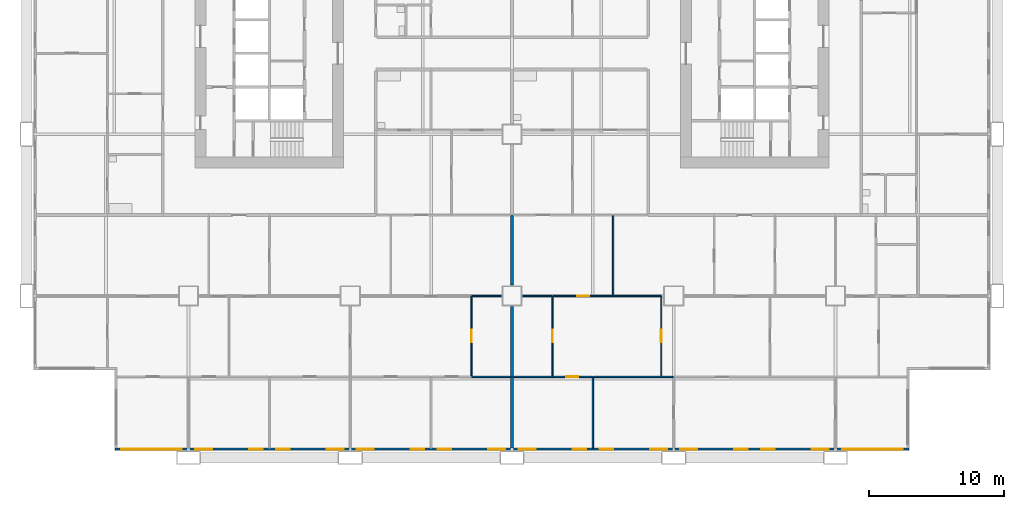
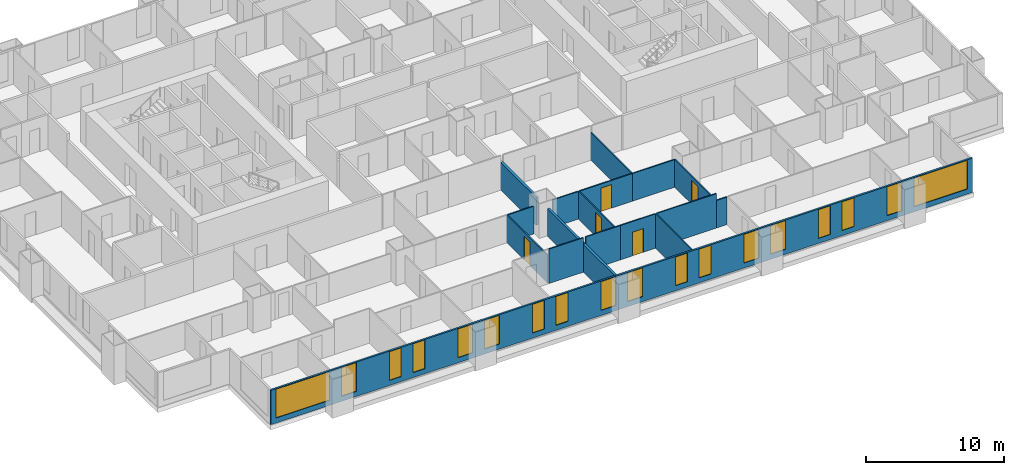
# One storey, part 5 of 14: 18 walls, 18 windows, 5 doors, 23 openings.
"""IFC4 building model written with IfcOpenShell, lengths in metres."""

from ifc_helpers import new_model, si_unit, direction, frame, frame_2d, origin, place, context, subcontext, project, spatial, rectangle, extrude, material, layer, layer_set, type_object, element, fill, save


model = new_model("IFC4")

# Units and contexts
model_context = context("Model", 3, precision=1e-05, world=origin(), true_north=direction((0.0, 1.0)))
body_context = subcontext(model_context, "Body", "Model", "MODEL_VIEW")
ifc_project = project(units=[si_unit("LENGTHUNIT", "METRE"), si_unit("AREAUNIT", "SQUARE_METRE"), si_unit("VOLUMEUNIT", "CUBIC_METRE"), si_unit("PLANEANGLEUNIT", "RADIAN"), si_unit("MASSUNIT", "GRAM", prefix="KILO")], contexts=[model_context])

# Site, building, storey
site_placement = place(None, origin())
site = spatial("IfcSite", under=ifc_project, at=site_placement, CompositionType="ELEMENT")
building_placement = place(site_placement, origin())
building = spatial("IfcBuilding", under=site, at=building_placement, Name="Kitamizu Gate Tower and Museum", CompositionType="ELEMENT")
storey_placement = place(building_placement, frame((0.0, 0.0, 33.449951171875)))
storey = spatial("IfcBuildingStorey", under=building, at=storey_placement, Name="L06", CompositionType="ELEMENT", Elevation=33.449951171875)

# Wall
ifc_material_1 = material(Name="Gypsum board on galvanised stud")
ifc_layer_1 = layer(ifc_material_1, 0.10009765625)
ifc_layer_set_1 = layer_set([ifc_layer_1], Name="Gypsum board on galvanised stud")
wall_type_1 = type_object("IfcWallType", Name="Partition 100 NOT RATED", PredefinedType="PARTITIONING", material=ifc_layer_set_1)
wall_1_placement = place(storey_placement, frame((35.89990234375, 6.0, 0.0), z_axis=(0.0, 0.0, 1.0), x_axis=(-1.0, 0.0, 0.0)))
element("IfcWall", 1, at=wall_1_placement, inside=storey, type_object=wall_type_1, Name="Partition L06-011", PredefinedType="PARTITIONING", context=body_context, shape_type="SweptSolid", body=[
    extrude(rectangle(XDim=2.89990234375, YDim=0.10009765625, at=frame_2d((1.449951171875, 0.0))), origin(), (0.0, 0.0, 1.0), 3.050048828125),
])

# Wall, opening, door
wall_2_placement = place(storey_placement, frame((33.0, 6.050048828125, 0.0), z_axis=(0.0, 0.0, 1.0), x_axis=(0.0, 1.0, 0.0)))
wall_2 = element("IfcWall", 2, at=wall_2_placement, inside=storey, type_object=wall_type_1, Name="Partition L06-022", PredefinedType="PARTITIONING", context=body_context, shape_type="SweptSolid", body=[
    extrude(rectangle(XDim=5.949951171875, YDim=0.10009765625, at=frame_2d((2.97509765625, 0.0))), origin(), (0.0, 0.0, 1.0), 2.449951171875),
])
opening_1_placement = place(wall_2_placement, frame((2.52490234375, 0.0, 0.0)))
opening_1 = element("IfcOpeningElement", 3, at=opening_1_placement, cuts=wall_2, Name="Opening L06-011", PredefinedType="OPENING", context=body_context, shape_type="SweptSolid", body=[
    extrude(rectangle(XDim=0.89990234375, YDim=2.10009765625, at=frame_2d((0.449951171875, 1.050048828125))), frame((0.0, 0.06005859375, 0.0), z_axis=(0.0, -1.0, 0.0), x_axis=(1.0, 0.0, 0.0)), (0.0, 0.0, 1.0), 0.1201171875),
])
ifc_material_2 = material(Name="Timber door set", Category="wood")
door_type = type_object("IfcDoorType", Name="Room door 900", OperationType="NOTDEFINED", PredefinedType="DOOR", material=ifc_material_2)
door_1_placement = place(opening_1_placement, frame((0.89990234375, 0.0, 0.0), x_axis=(-1.0, 0.0, 0.0)))
door_1 = element("IfcDoor", 4, at=door_1_placement, inside=storey, type_object=door_type, Name="Door L06-011", OperationType="SINGLE_SWING_LEFT", OverallHeight=2.10009765625, OverallWidth=0.89990234375, PredefinedType="DOOR", context=body_context, shape_type="SweptSolid", body=[
    extrude(rectangle(XDim=0.89990234375, YDim=2.10009765625, at=frame_2d((0.449951171875, 1.050048828125))), frame((0.0, 0.02490234375, 0.0), z_axis=(0.0, -1.0, 0.0), x_axis=(1.0, 0.0, 0.0)), (0.0, 0.0, 1.0), 0.050048828125),
])
fill(opening_1, door_1)

# Walls
wall_3_placement = place(storey_placement, frame((35.199951171875, 12.0, 0.0), z_axis=(0.0, 0.0, 1.0), x_axis=(-1.0, 0.0, 0.0)))
element("IfcWall", 5, at=wall_3_placement, inside=storey, type_object=wall_type_1, Name="Partition L06-025", PredefinedType="PARTITIONING", context=body_context, shape_type="SweptSolid", body=[
    extrude(rectangle(XDim=2.14990234375, YDim=0.10009765625, at=frame_2d((1.074951171875, 0.0))), origin(), (0.0, 0.0, 1.0), 2.449951171875),
])
wall_4_placement = place(storey_placement, frame((42.0, 0.719970703125, 0.0), z_axis=(0.0, 0.0, 1.0), x_axis=(0.0, 1.0, 0.0)))
element("IfcWall", 6, at=wall_4_placement, inside=storey, type_object=wall_type_1, Name="Partition L06-073", PredefinedType="PARTITIONING", context=body_context, shape_type="SweptSolid", body=[
    extrude(rectangle(XDim=5.280029296875, YDim=0.10009765625, at=frame_2d((2.64013671875, 0.0))), origin(), (0.0, 0.0, 1.0), 3.050048828125),
])
wall_5_placement = place(storey_placement, frame((39.0, 6.0, 0.0), z_axis=(0.0, 0.0, 1.0), x_axis=(-1.0, 0.0, 0.0)))
element("IfcWall", 7, at=wall_5_placement, inside=storey, type_object=wall_type_1, Name="Partition L06-074", PredefinedType="PARTITIONING", context=body_context, shape_type="SweptSolid", body=[
    extrude(rectangle(XDim=2.89990234375, YDim=0.10009765625, at=frame_2d((1.449951171875, 0.0))), origin(), (0.0, 0.0, 1.0), 3.050048828125),
])

# Wall, opening, door
wall_6_placement = place(storey_placement, frame((41.949951171875, 6.0, 0.0), z_axis=(0.0, 0.0, 1.0), x_axis=(-1.0, 0.0, 0.0)))
wall_6 = element("IfcWall", 8, at=wall_6_placement, inside=storey, type_object=wall_type_1, Name="Partition L06-075", PredefinedType="PARTITIONING", context=body_context, shape_type="SweptSolid", body=[
    extrude(rectangle(XDim=2.949951171875, YDim=0.10009765625, at=frame_2d((1.47509765625, 0.0))), origin(), (0.0, 0.0, 1.0), 3.050048828125),
])
opening_2_placement = place(wall_6_placement, frame((1.02490234375, 0.0, 0.0)))
opening_2 = element("IfcOpeningElement", 9, at=opening_2_placement, cuts=wall_6, Name="Opening L06-033", PredefinedType="OPENING", context=body_context, shape_type="SweptSolid", body=[
    extrude(rectangle(XDim=0.89990234375, YDim=2.10009765625, at=frame_2d((0.449951171875, 1.050048828125))), frame((0.0, 0.06005859375, 0.0), z_axis=(0.0, -1.0, 0.0), x_axis=(1.0, 0.0, 0.0)), (0.0, 0.0, 1.0), 0.1201171875),
])
door_2_placement = place(opening_2_placement, origin())
door_2 = element("IfcDoor", 10, at=door_2_placement, inside=storey, type_object=door_type, Name="Door L06-033", OperationType="SINGLE_SWING_RIGHT", OverallHeight=2.10009765625, OverallWidth=0.89990234375, PredefinedType="DOOR", context=body_context, shape_type="SweptSolid", body=[
    extrude(rectangle(XDim=0.89990234375, YDim=2.10009765625, at=frame_2d((0.449951171875, 1.050048828125))), frame((0.0, 0.02490234375, 0.0), z_axis=(0.0, -1.0, 0.0), x_axis=(1.0, 0.0, 0.0)), (0.0, 0.0, 1.0), 0.050048828125),
])
fill(opening_2, door_2)

# Walls
wall_7_placement = place(storey_placement, frame((47.070068359375, 6.0, 0.0), z_axis=(0.0, 0.0, 1.0), x_axis=(-1.0, 0.0, 0.0)))
element("IfcWall", 11, at=wall_7_placement, inside=storey, type_object=wall_type_1, Name="Partition L06-077", PredefinedType="PARTITIONING", context=body_context, shape_type="SweptSolid", body=[
    extrude(rectangle(XDim=5.02001953125, YDim=0.10009765625, at=frame_2d((2.510009765625, 0.0))), origin(), (0.0, 0.0, 1.0), 3.050048828125),
])
wall_8_placement = place(storey_placement, frame((47.949951171875, 6.0, 0.0), z_axis=(0.0, 0.0, 1.0), x_axis=(-1.0, 0.0, 0.0)))
element("IfcWall", 12, at=wall_8_placement, inside=storey, type_object=wall_type_1, Name="Partition L06-078", PredefinedType="PARTITIONING", context=body_context, shape_type="SweptSolid", body=[
    extrude(rectangle(XDim=0.8798828125, YDim=0.10009765625, at=frame_2d((0.43994140625, 0.0))), origin(), (0.0, 0.0, 1.0), 2.449951171875),
])

# Wall, opening, door
wall_9_placement = place(storey_placement, frame((39.0, 6.050048828125, 0.0), z_axis=(0.0, 0.0, 1.0), x_axis=(0.0, 1.0, 0.0)))
wall_9 = element("IfcWall", 13, at=wall_9_placement, inside=storey, type_object=wall_type_1, Name="Partition L06-084", PredefinedType="PARTITIONING", context=body_context, shape_type="SweptSolid", body=[
    extrude(rectangle(XDim=5.949951171875, YDim=0.10009765625, at=frame_2d((2.97509765625, 0.0))), origin(), (0.0, 0.0, 1.0), 2.449951171875),
])
opening_3_placement = place(wall_9_placement, frame((2.52490234375, 0.0, 0.0)))
opening_3 = element("IfcOpeningElement", 14, at=opening_3_placement, cuts=wall_9, Name="Opening L06-036", PredefinedType="OPENING", context=body_context, shape_type="SweptSolid", body=[
    extrude(rectangle(XDim=0.89990234375, YDim=2.10009765625, at=frame_2d((0.449951171875, 1.050048828125))), frame((0.0, 0.06005859375, 0.0), z_axis=(0.0, -1.0, 0.0), x_axis=(1.0, 0.0, 0.0)), (0.0, 0.0, 1.0), 0.1201171875),
])
door_3_placement = place(opening_3_placement, origin())
door_3 = element("IfcDoor", 15, at=door_3_placement, inside=storey, type_object=door_type, Name="Door L06-036", OperationType="SINGLE_SWING_RIGHT", OverallHeight=2.10009765625, OverallWidth=0.89990234375, PredefinedType="DOOR", context=body_context, shape_type="SweptSolid", body=[
    extrude(rectangle(XDim=0.89990234375, YDim=2.10009765625, at=frame_2d((0.449951171875, 1.050048828125))), frame((0.0, 0.02490234375, 0.0), z_axis=(0.0, -1.0, 0.0), x_axis=(1.0, 0.0, 0.0)), (0.0, 0.0, 1.0), 0.050048828125),
])
fill(opening_3, door_3)

# Wall
wall_10_placement = place(storey_placement, frame((38.949951171875, 12.0, 0.0), z_axis=(0.0, 0.0, 1.0), x_axis=(-1.0, 0.0, 0.0)))
element("IfcWall", 16, at=wall_10_placement, inside=storey, type_object=wall_type_1, Name="Partition L06-085", PredefinedType="PARTITIONING", context=body_context, shape_type="SweptSolid", body=[
    extrude(rectangle(XDim=2.14990234375, YDim=0.10009765625, at=frame_2d((1.074951171875, 0.0))), origin(), (0.0, 0.0, 1.0), 2.449951171875),
])

# Wall, opening, door
wall_11_placement = place(storey_placement, frame((47.070068359375, 6.050048828125, 0.0), z_axis=(0.0, 0.0, 1.0), x_axis=(0.0, 1.0, 0.0)))
wall_11 = element("IfcWall", 17, at=wall_11_placement, inside=storey, type_object=wall_type_1, Name="Partition L06-086", PredefinedType="PARTITIONING", context=body_context, shape_type="SweptSolid", body=[
    extrude(rectangle(XDim=5.949951171875, YDim=0.10009765625, at=frame_2d((2.97509765625, 0.0))), origin(), (0.0, 0.0, 1.0), 2.449951171875),
])
opening_4_placement = place(wall_11_placement, frame((2.52490234375, 0.0, 0.0)))
opening_4 = element("IfcOpeningElement", 18, at=opening_4_placement, cuts=wall_11, Name="Opening L06-030", PredefinedType="OPENING", context=body_context, shape_type="SweptSolid", body=[
    extrude(rectangle(XDim=0.89990234375, YDim=2.10009765625, at=frame_2d((0.449951171875, 1.050048828125))), frame((0.0, 0.06005859375, 0.0), z_axis=(0.0, -1.0, 0.0), x_axis=(1.0, 0.0, 0.0)), (0.0, 0.0, 1.0), 0.1201171875),
])
door_4_placement = place(opening_4_placement, frame((0.89990234375, 0.0, 0.0), x_axis=(-1.0, 0.0, 0.0)))
door_4 = element("IfcDoor", 19, at=door_4_placement, inside=storey, type_object=door_type, Name="Door L06-030", OperationType="SINGLE_SWING_RIGHT", OverallHeight=2.10009765625, OverallWidth=0.89990234375, PredefinedType="DOOR", context=body_context, shape_type="SweptSolid", body=[
    extrude(rectangle(XDim=0.89990234375, YDim=2.10009765625, at=frame_2d((0.449951171875, 1.050048828125))), frame((0.0, 0.02490234375, 0.0), z_axis=(0.0, -1.0, 0.0), x_axis=(1.0, 0.0, 0.0)), (0.0, 0.0, 1.0), 0.050048828125),
])
fill(opening_4, door_4)

wall_12_placement = place(storey_placement, frame((43.5, 12.0, 0.0), z_axis=(0.0, 0.0, 1.0), x_axis=(-1.0, 0.0, 0.0)))
wall_12 = element("IfcWall", 20, at=wall_12_placement, inside=storey, type_object=wall_type_1, Name="Partition L06-087", PredefinedType="PARTITIONING", context=body_context, shape_type="SweptSolid", body=[
    extrude(rectangle(XDim=4.449951171875, YDim=0.10009765625, at=frame_2d((2.22509765625, 0.0))), origin(), (0.0, 0.0, 1.0), 2.449951171875),
])
opening_5_placement = place(wall_12_placement, frame((1.77490234375, 0.0, 0.0)))
opening_5 = element("IfcOpeningElement", 21, at=opening_5_placement, cuts=wall_12, Name="Opening L06-037", PredefinedType="OPENING", context=body_context, shape_type="SweptSolid", body=[
    extrude(rectangle(XDim=0.89990234375, YDim=2.10009765625, at=frame_2d((0.449951171875, 1.050048828125))), frame((0.0, 0.06005859375, 0.0), z_axis=(0.0, -1.0, 0.0), x_axis=(1.0, 0.0, 0.0)), (0.0, 0.0, 1.0), 0.1201171875),
])
door_5_placement = place(opening_5_placement, frame((0.89990234375, 0.0, 0.0), x_axis=(-1.0, 0.0, 0.0)))
door_5 = element("IfcDoor", 22, at=door_5_placement, inside=storey, type_object=door_type, Name="Door L06-037", OperationType="SINGLE_SWING_RIGHT", OverallHeight=2.10009765625, OverallWidth=0.89990234375, PredefinedType="DOOR", context=body_context, shape_type="SweptSolid", body=[
    extrude(rectangle(XDim=0.89990234375, YDim=2.10009765625, at=frame_2d((0.449951171875, 1.050048828125))), frame((0.0, 0.02490234375, 0.0), z_axis=(0.0, -1.0, 0.0), x_axis=(1.0, 0.0, 0.0)), (0.0, 0.0, 1.0), 0.050048828125),
])
fill(opening_5, door_5)

# Walls
wall_13_placement = place(storey_placement, frame((47.02001953125, 12.0, 0.0), z_axis=(0.0, 0.0, 1.0), x_axis=(-1.0, 0.0, 0.0)))
element("IfcWall", 23, at=wall_13_placement, inside=storey, type_object=wall_type_1, Name="Partition L06-088", PredefinedType="PARTITIONING", context=body_context, shape_type="SweptSolid", body=[
    extrude(rectangle(XDim=3.52001953125, YDim=0.10009765625, at=frame_2d((1.760009765625, 0.0))), origin(), (0.0, 0.0, 1.0), 2.449951171875),
])
wall_14_placement = place(storey_placement, frame((43.5, 12.050048828125, 0.0), z_axis=(0.0, 0.0, 1.0), x_axis=(0.0, 1.0, 0.0)))
element("IfcWall", 24, at=wall_14_placement, inside=storey, type_object=wall_type_1, Name="Partition L06-098", PredefinedType="PARTITIONING", context=body_context, shape_type="SweptSolid", body=[
    extrude(rectangle(XDim=5.949951171875, YDim=0.10009765625, at=frame_2d((2.97509765625, 0.0))), origin(), (0.0, 0.0, 1.0), 2.449951171875),
])
ifc_material_3 = material(Name="Gypsum board on galvanised stud")
ifc_layer_2 = layer(ifc_material_3, 0.199951171875)
ifc_layer_set_2 = layer_set([ifc_layer_2], Name="Gypsum board on galvanised stud")
wall_type_2 = type_object("IfcWallType", Name="Partition 200", PredefinedType="PARTITIONING", material=ifc_layer_set_2)
wall_15_placement = place(storey_placement, frame((36.0, 0.719970703125, 0.0), z_axis=(0.0, 0.0, 1.0), x_axis=(0.0, 1.0, 0.0)))
element("IfcWall", 25, at=wall_15_placement, inside=storey, type_object=wall_type_2, Name="Partition L06-012", PredefinedType="PARTITIONING", context=body_context, shape_type="SweptSolid", body=[
    extrude(rectangle(XDim=5.280029296875, YDim=0.199951171875, at=frame_2d((2.64013671875, 0.0))), origin(), (0.0, 0.0, 1.0), 2.449951171875),
])
for number, where, z_axis, x_axis, name in (
    (26, (36.0, 6.0, 0.0), (0.0, 0.0, 1.0), (0.0, 1.0, 0.0), "Partition L06-026"),
    (27, (36.0, 12.800048828125, 0.0), (0.0, 0.0, 1.0), (0.0, 1.0, 0.0), "Partition L06-038"),
):
    element("IfcWall", number, at=place(storey_placement, frame(where, z_axis=z_axis, x_axis=x_axis)), inside=storey, type_object=wall_type_2, Name=name, PredefinedType="PARTITIONING", context=body_context, shape_type="SweptSolid", body=[
        extrude(rectangle(XDim=5.199951171875, YDim=0.199951171875, at=frame_2d((2.60009765625, 0.0))), origin(), (0.0, 0.0, 1.0), 2.449951171875),
    ])

# Wall, openings, windows
ifc_material_4 = material(Name="Bronze anodised aluminium frame with insulated spandrel and tinted glass", Category="aluminium")
ifc_layer_3 = layer(ifc_material_4, 0.14990234375)
ifc_layer_set_3 = layer_set([ifc_layer_3], Name="Bronze anodised aluminium frame with insulated spandrel and tinted glass")
wall_type_3 = type_object("IfcWallType", Name="WINDOW WALL 150 BRONZE FRAME EI 30", PredefinedType="ELEMENTEDWALL", material=ifc_layer_set_3)
wall_16_placement = place(storey_placement, frame((6.56005859375, 0.635009765625, 0.0), z_axis=(0.0, 0.0, 1.0), x_axis=(1.0, 0.0, 0.0)))
wall_16 = element("IfcWall", 28, at=wall_16_placement, inside=storey, type_object=wall_type_3, Name="Window wall south L06", PredefinedType="ELEMENTEDWALL", context=body_context, shape_type="SweptSolid", body=[
    extrude(rectangle(XDim=58.8798828125, YDim=0.14990234375, at=frame_2d((29.43994140625, 0.0))), origin(), (0.0, 0.0, 1.0), 3.050048828125),
])
opening_6_placement = place(wall_16_placement, frame((0.43994140625, 0.0, 0.449951171875)))
opening_6 = element("IfcOpeningElement", 29, at=opening_6_placement, cuts=wall_16, Name="Opening W15", PredefinedType="OPENING", context=body_context, shape_type="SweptSolid", body=[
    extrude(rectangle(XDim=4.5, YDim=2.550048828125, at=frame_2d((2.25, 1.27490234375))), frame((0.0, 0.0849609375, 0.0), z_axis=(0.0, -1.0, 0.0), x_axis=(1.0, 0.0, 0.0)), (0.0, 0.0, 1.0), 0.169921875),
])
opening_7_placement = place(wall_16_placement, frame((5.93994140625, 0.0, 0.449951171875)))
opening_7 = element("IfcOpeningElement", 30, at=opening_7_placement, cuts=wall_16, Name="Opening W27", PredefinedType="OPENING", context=body_context, shape_type="SweptSolid", body=[
    extrude(rectangle(XDim=1.25, YDim=2.550048828125, at=frame_2d((0.625, 1.27490234375))), frame((0.0, 0.0849609375, 0.0), z_axis=(0.0, -1.0, 0.0), x_axis=(1.0, 0.0, 0.0)), (0.0, 0.0, 1.0), 0.169921875),
])
opening_8_placement = place(wall_16_placement, frame((9.93994140625, 0.0, 0.449951171875)))
opening_8 = element("IfcOpeningElement", 31, at=opening_8_placement, cuts=wall_16, Name="Opening W26", PredefinedType="OPENING", context=body_context, shape_type="SweptSolid", body=[
    extrude(rectangle(XDim=1.0, YDim=2.550048828125, at=frame_2d((0.5, 1.27490234375))), frame((0.0, 0.0849609375, 0.0), z_axis=(0.0, -1.0, 0.0), x_axis=(1.0, 0.0, 0.0)), (0.0, 0.0, 1.0), 0.169921875),
])
opening_9_placement = place(wall_16_placement, frame((11.93994140625, 0.0, 0.449951171875)))
opening_9 = element("IfcOpeningElement", 32, at=opening_9_placement, cuts=wall_16, Name="Opening W26", PredefinedType="OPENING", context=body_context, shape_type="SweptSolid", body=[
    extrude(rectangle(XDim=1.0, YDim=2.550048828125, at=frame_2d((0.5, 1.27490234375))), frame((0.0, 0.0849609375, 0.0), z_axis=(0.0, -1.0, 0.0), x_axis=(1.0, 0.0, 0.0)), (0.0, 0.0, 1.0), 0.169921875),
])
opening_10_placement = place(wall_16_placement, frame((15.68994140625, 0.0, 0.449951171875)))
opening_10 = element("IfcOpeningElement", 33, at=opening_10_placement, cuts=wall_16, Name="Opening W27", PredefinedType="OPENING", context=body_context, shape_type="SweptSolid", body=[
    extrude(rectangle(XDim=1.25, YDim=2.550048828125, at=frame_2d((0.625, 1.27490234375))), frame((0.0, 0.0849609375, 0.0), z_axis=(0.0, -1.0, 0.0), x_axis=(1.0, 0.0, 0.0)), (0.0, 0.0, 1.0), 0.169921875),
])
opening_11_placement = place(wall_16_placement, frame((17.93994140625, 0.0, 0.449951171875)))
opening_11 = element("IfcOpeningElement", 34, at=opening_11_placement, cuts=wall_16, Name="Opening W27", PredefinedType="OPENING", context=body_context, shape_type="SweptSolid", body=[
    extrude(rectangle(XDim=1.25, YDim=2.550048828125, at=frame_2d((0.625, 1.27490234375))), frame((0.0, 0.0849609375, 0.0), z_axis=(0.0, -1.0, 0.0), x_axis=(1.0, 0.0, 0.0)), (0.0, 0.0, 1.0), 0.169921875),
])
opening_12_placement = place(wall_16_placement, frame((21.93994140625, 0.0, 0.449951171875)))
opening_12 = element("IfcOpeningElement", 35, at=opening_12_placement, cuts=wall_16, Name="Opening W26", PredefinedType="OPENING", context=body_context, shape_type="SweptSolid", body=[
    extrude(rectangle(XDim=1.0, YDim=2.550048828125, at=frame_2d((0.5, 1.27490234375))), frame((0.0, 0.0849609375, 0.0), z_axis=(0.0, -1.0, 0.0), x_axis=(1.0, 0.0, 0.0)), (0.0, 0.0, 1.0), 0.169921875),
])
opening_13_placement = place(wall_16_placement, frame((23.93994140625, 0.0, 0.449951171875)))
opening_13 = element("IfcOpeningElement", 36, at=opening_13_placement, cuts=wall_16, Name="Opening W26", PredefinedType="OPENING", context=body_context, shape_type="SweptSolid", body=[
    extrude(rectangle(XDim=1.0, YDim=2.550048828125, at=frame_2d((0.5, 1.27490234375))), frame((0.0, 0.0849609375, 0.0), z_axis=(0.0, -1.0, 0.0), x_axis=(1.0, 0.0, 0.0)), (0.0, 0.0, 1.0), 0.169921875),
])
opening_14_placement = place(wall_16_placement, frame((27.68994140625, 0.0, 0.449951171875)))
opening_14 = element("IfcOpeningElement", 37, at=opening_14_placement, cuts=wall_16, Name="Opening W27", PredefinedType="OPENING", context=body_context, shape_type="SweptSolid", body=[
    extrude(rectangle(XDim=1.25, YDim=2.550048828125, at=frame_2d((0.625, 1.27490234375))), frame((0.0, 0.0849609375, 0.0), z_axis=(0.0, -1.0, 0.0), x_axis=(1.0, 0.0, 0.0)), (0.0, 0.0, 1.0), 0.169921875),
])
opening_15_placement = place(wall_16_placement, frame((29.93994140625, 0.0, 0.449951171875)))
opening_15 = element("IfcOpeningElement", 38, at=opening_15_placement, cuts=wall_16, Name="Opening W27", PredefinedType="OPENING", context=body_context, shape_type="SweptSolid", body=[
    extrude(rectangle(XDim=1.25, YDim=2.550048828125, at=frame_2d((0.625, 1.27490234375))), frame((0.0, 0.0849609375, 0.0), z_axis=(0.0, -1.0, 0.0), x_axis=(1.0, 0.0, 0.0)), (0.0, 0.0, 1.0), 0.169921875),
])
opening_16_placement = place(wall_16_placement, frame((33.93994140625, 0.0, 0.449951171875)))
opening_16 = element("IfcOpeningElement", 39, at=opening_16_placement, cuts=wall_16, Name="Opening W26", PredefinedType="OPENING", context=body_context, shape_type="SweptSolid", body=[
    extrude(rectangle(XDim=1.0, YDim=2.550048828125, at=frame_2d((0.5, 1.27490234375))), frame((0.0, 0.0849609375, 0.0), z_axis=(0.0, -1.0, 0.0), x_axis=(1.0, 0.0, 0.0)), (0.0, 0.0, 1.0), 0.169921875),
])
opening_17_placement = place(wall_16_placement, frame((35.93994140625, 0.0, 0.449951171875)))
opening_17 = element("IfcOpeningElement", 40, at=opening_17_placement, cuts=wall_16, Name="Opening W26", PredefinedType="OPENING", context=body_context, shape_type="SweptSolid", body=[
    extrude(rectangle(XDim=1.0, YDim=2.550048828125, at=frame_2d((0.5, 1.27490234375))), frame((0.0, 0.0849609375, 0.0), z_axis=(0.0, -1.0, 0.0), x_axis=(1.0, 0.0, 0.0)), (0.0, 0.0, 1.0), 0.169921875),
])
opening_18_placement = place(wall_16_placement, frame((39.68994140625, 0.0, 0.449951171875)))
opening_18 = element("IfcOpeningElement", 41, at=opening_18_placement, cuts=wall_16, Name="Opening W27", PredefinedType="OPENING", context=body_context, shape_type="SweptSolid", body=[
    extrude(rectangle(XDim=1.25, YDim=2.550048828125, at=frame_2d((0.625, 1.27490234375))), frame((0.0, 0.0849609375, 0.0), z_axis=(0.0, -1.0, 0.0), x_axis=(1.0, 0.0, 0.0)), (0.0, 0.0, 1.0), 0.169921875),
])
opening_19_placement = place(wall_16_placement, frame((41.93994140625, 0.0, 0.449951171875)))
opening_19 = element("IfcOpeningElement", 42, at=opening_19_placement, cuts=wall_16, Name="Opening W27", PredefinedType="OPENING", context=body_context, shape_type="SweptSolid", body=[
    extrude(rectangle(XDim=1.25, YDim=2.550048828125, at=frame_2d((0.625, 1.27490234375))), frame((0.0, 0.0849609375, 0.0), z_axis=(0.0, -1.0, 0.0), x_axis=(1.0, 0.0, 0.0)), (0.0, 0.0, 1.0), 0.169921875),
])
opening_20_placement = place(wall_16_placement, frame((45.93994140625, 0.0, 0.449951171875)))
opening_20 = element("IfcOpeningElement", 43, at=opening_20_placement, cuts=wall_16, Name="Opening W26", PredefinedType="OPENING", context=body_context, shape_type="SweptSolid", body=[
    extrude(rectangle(XDim=1.0, YDim=2.550048828125, at=frame_2d((0.5, 1.27490234375))), frame((0.0, 0.0849609375, 0.0), z_axis=(0.0, -1.0, 0.0), x_axis=(1.0, 0.0, 0.0)), (0.0, 0.0, 1.0), 0.169921875),
])
opening_21_placement = place(wall_16_placement, frame((47.93994140625, 0.0, 0.449951171875)))
opening_21 = element("IfcOpeningElement", 44, at=opening_21_placement, cuts=wall_16, Name="Opening W26", PredefinedType="OPENING", context=body_context, shape_type="SweptSolid", body=[
    extrude(rectangle(XDim=1.0, YDim=2.550048828125, at=frame_2d((0.5, 1.27490234375))), frame((0.0, 0.0849609375, 0.0), z_axis=(0.0, -1.0, 0.0), x_axis=(1.0, 0.0, 0.0)), (0.0, 0.0, 1.0), 0.169921875),
])
opening_22_placement = place(wall_16_placement, frame((51.68994140625, 0.0, 0.449951171875)))
opening_22 = element("IfcOpeningElement", 45, at=opening_22_placement, cuts=wall_16, Name="Opening W27", PredefinedType="OPENING", context=body_context, shape_type="SweptSolid", body=[
    extrude(rectangle(XDim=1.25, YDim=2.550048828125, at=frame_2d((0.625, 1.27490234375))), frame((0.0, 0.0849609375, 0.0), z_axis=(0.0, -1.0, 0.0), x_axis=(1.0, 0.0, 0.0)), (0.0, 0.0, 1.0), 0.169921875),
])
opening_23_placement = place(wall_16_placement, frame((53.93994140625, 0.0, 0.449951171875)))
opening_23 = element("IfcOpeningElement", 46, at=opening_23_placement, cuts=wall_16, Name="Opening W15", PredefinedType="OPENING", context=body_context, shape_type="SweptSolid", body=[
    extrude(rectangle(XDim=4.5, YDim=2.550048828125, at=frame_2d((2.25, 1.27490234375))), frame((0.0, 0.0849609375, 0.0), z_axis=(0.0, -1.0, 0.0), x_axis=(1.0, 0.0, 0.0)), (0.0, 0.0, 1.0), 0.169921875),
])
ifc_material_5 = material(Name="Bronze anodised aluminium frame, tinted triple glazing", Category="aluminium")
window_type_1 = type_object("IfcWindowType", Name="WINDOW 1000 x 2550 SILL 450", PartitioningType="SINGLE_PANEL", PredefinedType="WINDOW", material=ifc_material_5)
window_1_placement = place(opening_8_placement, origin())
window_1 = element("IfcWindow", 47, at=window_1_placement, inside=storey, type_object=window_type_1, Name="Window W26 L06", OverallHeight=2.550048828125, OverallWidth=1.0, PartitioningType="SINGLE_PANEL", PredefinedType="WINDOW", context=body_context, shape_type="SweptSolid", body=[
    extrude(rectangle(XDim=1.0, YDim=2.550048828125, at=frame_2d((0.5, 1.27490234375))), frame((0.0, 0.030029296875, 0.0), z_axis=(0.0, -1.0, 0.0), x_axis=(1.0, 0.0, 0.0)), (0.0, 0.0, 1.0), 0.06005859375),
])
fill(opening_8, window_1)
window_2_placement = place(opening_9_placement, origin())
window_2 = element("IfcWindow", 48, at=window_2_placement, inside=storey, type_object=window_type_1, Name="Window W26 L06", OverallHeight=2.550048828125, OverallWidth=1.0, PartitioningType="SINGLE_PANEL", PredefinedType="WINDOW", context=body_context, shape_type="SweptSolid", body=[
    extrude(rectangle(XDim=1.0, YDim=2.550048828125, at=frame_2d((0.5, 1.27490234375))), frame((0.0, 0.030029296875, 0.0), z_axis=(0.0, -1.0, 0.0), x_axis=(1.0, 0.0, 0.0)), (0.0, 0.0, 1.0), 0.06005859375),
])
fill(opening_9, window_2)
window_3_placement = place(opening_12_placement, origin())
window_3 = element("IfcWindow", 49, at=window_3_placement, inside=storey, type_object=window_type_1, Name="Window W26 L06", OverallHeight=2.550048828125, OverallWidth=1.0, PartitioningType="SINGLE_PANEL", PredefinedType="WINDOW", context=body_context, shape_type="SweptSolid", body=[
    extrude(rectangle(XDim=1.0, YDim=2.550048828125, at=frame_2d((0.5, 1.27490234375))), frame((0.0, 0.030029296875, 0.0), z_axis=(0.0, -1.0, 0.0), x_axis=(1.0, 0.0, 0.0)), (0.0, 0.0, 1.0), 0.06005859375),
])
fill(opening_12, window_3)
window_4_placement = place(opening_13_placement, origin())
window_4 = element("IfcWindow", 50, at=window_4_placement, inside=storey, type_object=window_type_1, Name="Window W26 L06", OverallHeight=2.550048828125, OverallWidth=1.0, PartitioningType="SINGLE_PANEL", PredefinedType="WINDOW", context=body_context, shape_type="SweptSolid", body=[
    extrude(rectangle(XDim=1.0, YDim=2.550048828125, at=frame_2d((0.5, 1.27490234375))), frame((0.0, 0.030029296875, 0.0), z_axis=(0.0, -1.0, 0.0), x_axis=(1.0, 0.0, 0.0)), (0.0, 0.0, 1.0), 0.06005859375),
])
fill(opening_13, window_4)
window_5_placement = place(opening_16_placement, origin())
window_5 = element("IfcWindow", 51, at=window_5_placement, inside=storey, type_object=window_type_1, Name="Window W26 L06", OverallHeight=2.550048828125, OverallWidth=1.0, PartitioningType="SINGLE_PANEL", PredefinedType="WINDOW", context=body_context, shape_type="SweptSolid", body=[
    extrude(rectangle(XDim=1.0, YDim=2.550048828125, at=frame_2d((0.5, 1.27490234375))), frame((0.0, 0.030029296875, 0.0), z_axis=(0.0, -1.0, 0.0), x_axis=(1.0, 0.0, 0.0)), (0.0, 0.0, 1.0), 0.06005859375),
])
fill(opening_16, window_5)
window_6_placement = place(opening_17_placement, origin())
window_6 = element("IfcWindow", 52, at=window_6_placement, inside=storey, type_object=window_type_1, Name="Window W26 L06", OverallHeight=2.550048828125, OverallWidth=1.0, PartitioningType="SINGLE_PANEL", PredefinedType="WINDOW", context=body_context, shape_type="SweptSolid", body=[
    extrude(rectangle(XDim=1.0, YDim=2.550048828125, at=frame_2d((0.5, 1.27490234375))), frame((0.0, 0.030029296875, 0.0), z_axis=(0.0, -1.0, 0.0), x_axis=(1.0, 0.0, 0.0)), (0.0, 0.0, 1.0), 0.06005859375),
])
fill(opening_17, window_6)
window_7_placement = place(opening_20_placement, origin())
window_7 = element("IfcWindow", 53, at=window_7_placement, inside=storey, type_object=window_type_1, Name="Window W26 L06", OverallHeight=2.550048828125, OverallWidth=1.0, PartitioningType="SINGLE_PANEL", PredefinedType="WINDOW", context=body_context, shape_type="SweptSolid", body=[
    extrude(rectangle(XDim=1.0, YDim=2.550048828125, at=frame_2d((0.5, 1.27490234375))), frame((0.0, 0.030029296875, 0.0), z_axis=(0.0, -1.0, 0.0), x_axis=(1.0, 0.0, 0.0)), (0.0, 0.0, 1.0), 0.06005859375),
])
fill(opening_20, window_7)
window_8_placement = place(opening_21_placement, origin())
window_8 = element("IfcWindow", 54, at=window_8_placement, inside=storey, type_object=window_type_1, Name="Window W26 L06", OverallHeight=2.550048828125, OverallWidth=1.0, PartitioningType="SINGLE_PANEL", PredefinedType="WINDOW", context=body_context, shape_type="SweptSolid", body=[
    extrude(rectangle(XDim=1.0, YDim=2.550048828125, at=frame_2d((0.5, 1.27490234375))), frame((0.0, 0.030029296875, 0.0), z_axis=(0.0, -1.0, 0.0), x_axis=(1.0, 0.0, 0.0)), (0.0, 0.0, 1.0), 0.06005859375),
])
fill(opening_21, window_8)
ifc_material_6 = material(Name="Bronze anodised aluminium frame, tinted triple glazing", Category="aluminium")
window_type_2 = type_object("IfcWindowType", Name="WINDOW 1250 x 2550 SILL 450", PartitioningType="SINGLE_PANEL", PredefinedType="WINDOW", material=ifc_material_6)
window_9_placement = place(opening_7_placement, origin())
window_9 = element("IfcWindow", 55, at=window_9_placement, inside=storey, type_object=window_type_2, Name="Window W27 L06", OverallHeight=2.550048828125, OverallWidth=1.25, PartitioningType="SINGLE_PANEL", PredefinedType="WINDOW", context=body_context, shape_type="SweptSolid", body=[
    extrude(rectangle(XDim=1.25, YDim=2.550048828125, at=frame_2d((0.625, 1.27490234375))), frame((0.0, 0.030029296875, 0.0), z_axis=(0.0, -1.0, 0.0), x_axis=(1.0, 0.0, 0.0)), (0.0, 0.0, 1.0), 0.06005859375),
])
fill(opening_7, window_9)
window_10_placement = place(opening_10_placement, origin())
window_10 = element("IfcWindow", 56, at=window_10_placement, inside=storey, type_object=window_type_2, Name="Window W27 L06", OverallHeight=2.550048828125, OverallWidth=1.25, PartitioningType="SINGLE_PANEL", PredefinedType="WINDOW", context=body_context, shape_type="SweptSolid", body=[
    extrude(rectangle(XDim=1.25, YDim=2.550048828125, at=frame_2d((0.625, 1.27490234375))), frame((0.0, 0.030029296875, 0.0), z_axis=(0.0, -1.0, 0.0), x_axis=(1.0, 0.0, 0.0)), (0.0, 0.0, 1.0), 0.06005859375),
])
fill(opening_10, window_10)
window_11_placement = place(opening_11_placement, origin())
window_11 = element("IfcWindow", 57, at=window_11_placement, inside=storey, type_object=window_type_2, Name="Window W27 L06", OverallHeight=2.550048828125, OverallWidth=1.25, PartitioningType="SINGLE_PANEL", PredefinedType="WINDOW", context=body_context, shape_type="SweptSolid", body=[
    extrude(rectangle(XDim=1.25, YDim=2.550048828125, at=frame_2d((0.625, 1.27490234375))), frame((0.0, 0.030029296875, 0.0), z_axis=(0.0, -1.0, 0.0), x_axis=(1.0, 0.0, 0.0)), (0.0, 0.0, 1.0), 0.06005859375),
])
fill(opening_11, window_11)
window_12_placement = place(opening_14_placement, origin())
window_12 = element("IfcWindow", 58, at=window_12_placement, inside=storey, type_object=window_type_2, Name="Window W27 L06", OverallHeight=2.550048828125, OverallWidth=1.25, PartitioningType="SINGLE_PANEL", PredefinedType="WINDOW", context=body_context, shape_type="SweptSolid", body=[
    extrude(rectangle(XDim=1.25, YDim=2.550048828125, at=frame_2d((0.625, 1.27490234375))), frame((0.0, 0.030029296875, 0.0), z_axis=(0.0, -1.0, 0.0), x_axis=(1.0, 0.0, 0.0)), (0.0, 0.0, 1.0), 0.06005859375),
])
fill(opening_14, window_12)
window_13_placement = place(opening_15_placement, origin())
window_13 = element("IfcWindow", 59, at=window_13_placement, inside=storey, type_object=window_type_2, Name="Window W27 L06", OverallHeight=2.550048828125, OverallWidth=1.25, PartitioningType="SINGLE_PANEL", PredefinedType="WINDOW", context=body_context, shape_type="SweptSolid", body=[
    extrude(rectangle(XDim=1.25, YDim=2.550048828125, at=frame_2d((0.625, 1.27490234375))), frame((0.0, 0.030029296875, 0.0), z_axis=(0.0, -1.0, 0.0), x_axis=(1.0, 0.0, 0.0)), (0.0, 0.0, 1.0), 0.06005859375),
])
fill(opening_15, window_13)
window_14_placement = place(opening_18_placement, origin())
window_14 = element("IfcWindow", 60, at=window_14_placement, inside=storey, type_object=window_type_2, Name="Window W27 L06", OverallHeight=2.550048828125, OverallWidth=1.25, PartitioningType="SINGLE_PANEL", PredefinedType="WINDOW", context=body_context, shape_type="SweptSolid", body=[
    extrude(rectangle(XDim=1.25, YDim=2.550048828125, at=frame_2d((0.625, 1.27490234375))), frame((0.0, 0.030029296875, 0.0), z_axis=(0.0, -1.0, 0.0), x_axis=(1.0, 0.0, 0.0)), (0.0, 0.0, 1.0), 0.06005859375),
])
fill(opening_18, window_14)
window_15_placement = place(opening_19_placement, origin())
window_15 = element("IfcWindow", 61, at=window_15_placement, inside=storey, type_object=window_type_2, Name="Window W27 L06", OverallHeight=2.550048828125, OverallWidth=1.25, PartitioningType="SINGLE_PANEL", PredefinedType="WINDOW", context=body_context, shape_type="SweptSolid", body=[
    extrude(rectangle(XDim=1.25, YDim=2.550048828125, at=frame_2d((0.625, 1.27490234375))), frame((0.0, 0.030029296875, 0.0), z_axis=(0.0, -1.0, 0.0), x_axis=(1.0, 0.0, 0.0)), (0.0, 0.0, 1.0), 0.06005859375),
])
fill(opening_19, window_15)
window_16_placement = place(opening_22_placement, origin())
window_16 = element("IfcWindow", 62, at=window_16_placement, inside=storey, type_object=window_type_2, Name="Window W27 L06", OverallHeight=2.550048828125, OverallWidth=1.25, PartitioningType="SINGLE_PANEL", PredefinedType="WINDOW", context=body_context, shape_type="SweptSolid", body=[
    extrude(rectangle(XDim=1.25, YDim=2.550048828125, at=frame_2d((0.625, 1.27490234375))), frame((0.0, 0.030029296875, 0.0), z_axis=(0.0, -1.0, 0.0), x_axis=(1.0, 0.0, 0.0)), (0.0, 0.0, 1.0), 0.06005859375),
])
fill(opening_22, window_16)
ifc_material_7 = material(Name="Bronze anodised aluminium frame, tinted triple glazing", Category="aluminium")
window_type_3 = type_object("IfcWindowType", Name="WINDOW 4500 x 2550 SILL 450", PartitioningType="SINGLE_PANEL", PredefinedType="WINDOW", material=ifc_material_7)
window_17_placement = place(opening_6_placement, origin())
window_17 = element("IfcWindow", 63, at=window_17_placement, inside=storey, type_object=window_type_3, Name="Window W15 L06", OverallHeight=2.550048828125, OverallWidth=4.5, PartitioningType="SINGLE_PANEL", PredefinedType="WINDOW", context=body_context, shape_type="SweptSolid", body=[
    extrude(rectangle(XDim=4.5, YDim=2.550048828125, at=frame_2d((2.25, 1.27490234375))), frame((0.0, 0.030029296875, 0.0), z_axis=(0.0, -1.0, 0.0), x_axis=(1.0, 0.0, 0.0)), (0.0, 0.0, 1.0), 0.06005859375),
])
fill(opening_6, window_17)
window_18_placement = place(opening_23_placement, origin())
window_18 = element("IfcWindow", 64, at=window_18_placement, inside=storey, type_object=window_type_3, Name="Window W15 L06", OverallHeight=2.550048828125, OverallWidth=4.5, PartitioningType="SINGLE_PANEL", PredefinedType="WINDOW", context=body_context, shape_type="SweptSolid", body=[
    extrude(rectangle(XDim=4.5, YDim=2.550048828125, at=frame_2d((2.25, 1.27490234375))), frame((0.0, 0.030029296875, 0.0), z_axis=(0.0, -1.0, 0.0), x_axis=(1.0, 0.0, 0.0)), (0.0, 0.0, 1.0), 0.06005859375),
])
fill(opening_23, window_18)

save(model, "model.ifc")
